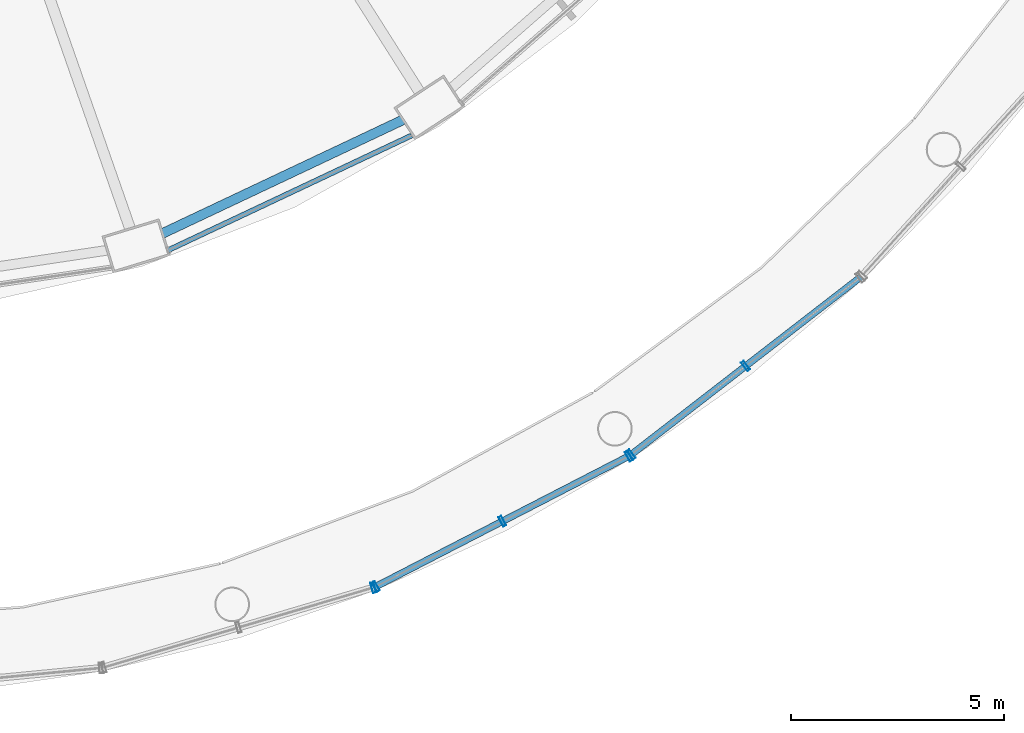
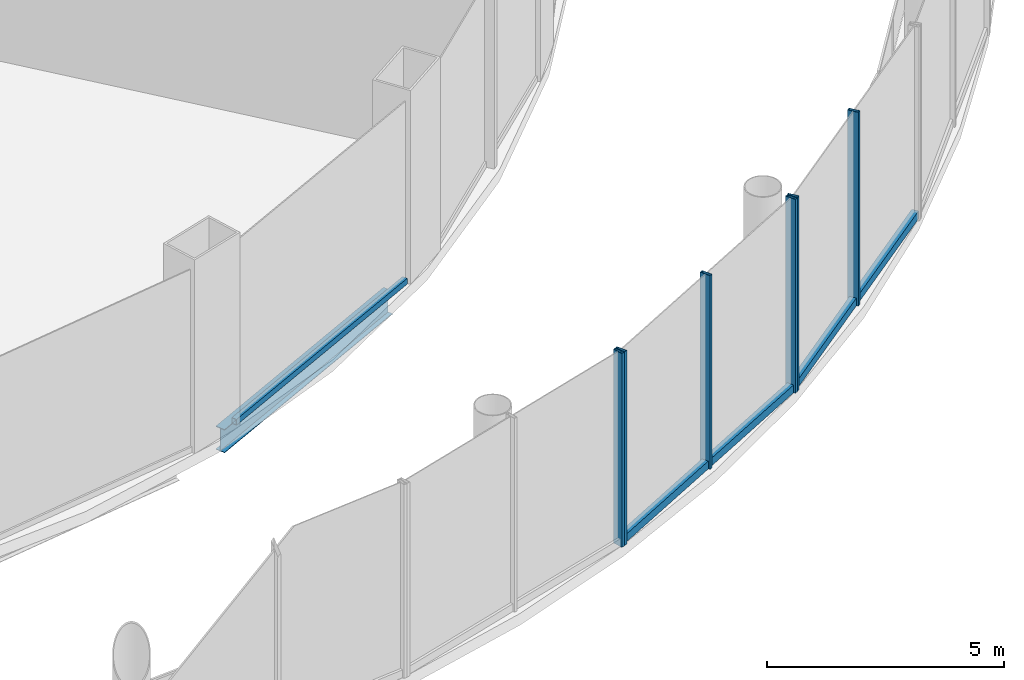
# One storey, part 10 of 48: 9 members, 1 beam, 4 elements without a shape of their own.
"""IFC4 building model written with IfcOpenShell, lengths in metres."""

from ifc_helpers import new_model, si_unit, direction, frame, origin, origin_2d, place, context, subcontext, project, spatial, hollow_rectangle, i_section, extrude, material, layer, layer_set, material_profile, profile_set, type_object, element, aggregate, save


model = new_model("IFC4")

# Units and contexts
model_context = context("Model", 3, precision=1e-05, world=origin(), true_north=direction((0.0, 1.0)))
body_context = subcontext(model_context, "Body", "Model", "MODEL_VIEW")
ifc_project = project(units=[si_unit("LENGTHUNIT", "METRE"), si_unit("AREAUNIT", "SQUARE_METRE"), si_unit("VOLUMEUNIT", "CUBIC_METRE"), si_unit("PLANEANGLEUNIT", "RADIAN"), si_unit("MASSUNIT", "GRAM", prefix="KILO")], contexts=[model_context])

# Site, building, storey
site_placement = place(None, origin())
site = spatial("IfcSite", under=ifc_project, at=site_placement, CompositionType="ELEMENT")
building_placement = place(site_placement, origin())
building = spatial("IfcBuilding", under=site, at=building_placement, Name="Nagisa Residences", CompositionType="ELEMENT")
storey_placement = place(building_placement, frame((0.0, 0.0, 12.0)))
storey = spatial("IfcBuildingStorey", under=building, at=storey_placement, Name="L02", CompositionType="ELEMENT", Elevation=12.0)

# Curtain wall, member
ifc_material_1 = material(Name="Stainless steel curtain wall system", Category="steel")
ifc_layer_1 = layer(ifc_material_1, 0.159912109375)
ifc_layer_set_1 = layer_set([ifc_layer_1], Name="CW3 CURTAIN WALL")
curtain_wall_type_1 = type_object("IfcCurtainWallType", Name="CW3 CURTAIN WALL", PredefinedType="NOTDEFINED", material=ifc_layer_set_1)
curtain_wall_1_placement = place(storey_placement, origin())
curtain_wall_1 = element("IfcCurtainWall", 1, at=curtain_wall_1_placement, inside=storey, type_object=curtain_wall_type_1, Name="cw:CW3:L02:28", PredefinedType="NOTDEFINED")
ifc_material_2 = material(Name="Stainless steel", Category="steel")
ifc_material_profile_1 = material_profile(ifc_material_2, hollow_rectangle(XDim=0.25, YDim=0.080078125, WallThickness=0.008056640625, at=origin_2d()), Name="CW3 MULLION 250x80")
ifc_profile_set_1 = profile_set([ifc_material_profile_1], Name="Stainless steel")
member_type_1 = type_object("IfcMemberType", Name="CW3 MULLION 250x80", PredefinedType="MULLION", material=ifc_profile_set_1)
member_1_placement = place(storey_placement, frame((16.53564453125, -39.40185546875, 0.0), z_axis=(0.0, 0.0, 1.0), x_axis=(-0.283963226669, 0.958835171393, 0.0)))
member_1 = element("IfcMember", 2, at=member_1_placement, type_object=member_type_1, Name="CW3 mullion", PredefinedType="MULLION", context=body_context, shape_type="SweptSolid", body=[
    extrude(hollow_rectangle(XDim=0.25, YDim=0.080078125, WallThickness=0.008056640625, at=origin_2d()), origin(), (0.0, 0.0, 1.0), 5.0),
])
aggregate(curtain_wall_1, [member_1])

# Curtain wall, members
curtain_wall_2_placement = place(storey_placement, origin())
curtain_wall_2 = element("IfcCurtainWall", 3, at=curtain_wall_2_placement, inside=storey, type_object=curtain_wall_type_1, Name="cw:CW3:L02:29", PredefinedType="NOTDEFINED")
member_2_placement = place(storey_placement, frame((16.595703125, -39.377685546875, 0.0), z_axis=(0.0, 0.0, 1.0), x_axis=(-0.45812598783, 0.888887270285, 0.0)))
member_2 = element("IfcMember", 4, at=member_2_placement, type_object=member_type_1, Name="CW3 mullion", PredefinedType="MULLION", context=body_context, shape_type="SweptSolid", body=[
    extrude(hollow_rectangle(XDim=0.25, YDim=0.080078125, WallThickness=0.008056640625, at=origin_2d()), origin(), (0.0, 0.0, 1.0), 5.0),
])
member_3_placement = place(storey_placement, frame((19.561767578125, -37.848876953125, 0.0), z_axis=(0.0, 0.0, 1.0), x_axis=(-0.45812598783, 0.888887270285, 0.0)))
member_3 = element("IfcMember", 5, at=member_3_placement, type_object=member_type_1, Name="CW3 mullion", PredefinedType="MULLION", context=body_context, shape_type="SweptSolid", body=[
    extrude(hollow_rectangle(XDim=0.25, YDim=0.080078125, WallThickness=0.008056640625, at=origin_2d()), origin(), (0.0, 0.0, 1.0), 5.0),
])
member_4_placement = place(storey_placement, frame((22.52783203125, -36.3203125, 0.0), z_axis=(0.0, 0.0, 1.0), x_axis=(-0.45812598783, 0.888887270285, 0.0)))
member_4 = element("IfcMember", 6, at=member_4_placement, type_object=member_type_1, Name="CW3 mullion", PredefinedType="MULLION", context=body_context, shape_type="SweptSolid", body=[
    extrude(hollow_rectangle(XDim=0.25, YDim=0.080078125, WallThickness=0.008056640625, at=origin_2d()), origin(), (0.0, 0.0, 1.0), 5.0),
])

curtain_wall_3_placement = place(storey_placement, origin())
curtain_wall_3 = element("IfcCurtainWall", 7, at=curtain_wall_3_placement, inside=storey, type_object=curtain_wall_type_1, Name="cw:CW3:L02:30", PredefinedType="NOTDEFINED")
member_5_placement = place(storey_placement, frame((22.582763671875, -36.285400390625, 0.0), z_axis=(0.0, 0.0, 1.0), x_axis=(-0.612034757172, 0.790830864353, 0.0)))
member_5 = element("IfcMember", 8, at=member_5_placement, type_object=member_type_1, Name="CW3 mullion", PredefinedType="MULLION", context=body_context, shape_type="SweptSolid", body=[
    extrude(hollow_rectangle(XDim=0.25, YDim=0.080078125, WallThickness=0.008056640625, at=origin_2d()), origin(), (0.0, 0.0, 1.0), 5.0),
])
member_6_placement = place(storey_placement, frame((25.263916015625, -34.210205078125, 0.0), z_axis=(0.0, 0.0, 1.0), x_axis=(-0.612034757172, 0.790830864353, 0.0)))
member_6 = element("IfcMember", 9, at=member_6_placement, type_object=member_type_1, Name="CW3 mullion", PredefinedType="MULLION", context=body_context, shape_type="SweptSolid", body=[
    extrude(hollow_rectangle(XDim=0.25, YDim=0.080078125, WallThickness=0.008056640625, at=origin_2d()), origin(), (0.0, 0.0, 1.0), 5.0),
])

# Member
ifc_material_3 = material(Name="Stainless steel", Category="steel")
ifc_material_profile_2 = material_profile(ifc_material_3, hollow_rectangle(XDim=0.159912109375, YDim=0.199951171875, WallThickness=0.008056640625, at=origin_2d()), Name="CW3 TRANSOM 160x200")
ifc_profile_set_2 = profile_set([ifc_material_profile_2], Name="Stainless steel")
member_type_2 = type_object("IfcMemberType", Name="CW3 TRANSOM 160x200", PredefinedType="USERDEFINED", material=ifc_profile_set_2)
member_7_placement = place(storey_placement, frame((16.56005859375, -39.39599609375, 0.10009765625), z_axis=(0.888887130152, 0.458126259726, 0.0), x_axis=(-0.458126259726, 0.888887130152, 0.0)))
member_7 = element("IfcMember", 10, at=member_7_placement, type_object=member_type_2, Name="CW3 transom", ObjectType="TRANSOM", PredefinedType="USERDEFINED", context=body_context, shape_type="SweptSolid", body=[
    extrude(hollow_rectangle(XDim=0.159912109375, YDim=0.199951171875, WallThickness=0.008056640625, at=origin_2d()), origin(), (0.0, 0.0, 1.0), 6.753662109375),
])

aggregate(curtain_wall_2, [member_2, member_3, member_4, member_7])

member_8_placement = place(storey_placement, frame((22.551025390625, -36.309814453125, 0.10009765625), z_axis=(0.790834819486, 0.612029646576, 0.0), x_axis=(-0.612029646576, 0.790834819486, 0.0)))
member_8 = element("IfcMember", 11, at=member_8_placement, type_object=member_type_2, Name="CW3 transom", ObjectType="TRANSOM", PredefinedType="USERDEFINED", context=body_context, shape_type="SweptSolid", body=[
    extrude(hollow_rectangle(XDim=0.159912109375, YDim=0.199951171875, WallThickness=0.008056640625, at=origin_2d()), origin(), (0.0, 0.0, 1.0), 6.861083984375),
])

aggregate(curtain_wall_3, [member_5, member_6, member_8])

# Curtain wall, member
ifc_material_4 = material(Name="Stainless steel curtain wall system", Category="steel")
ifc_layer_2 = layer(ifc_material_4, 0.159912109375)
ifc_layer_set_2 = layer_set([ifc_layer_2], Name="CW6 CURTAIN WALL")
curtain_wall_type_2 = type_object("IfcCurtainWallType", Name="CW6 CURTAIN WALL", PredefinedType="NOTDEFINED", material=ifc_layer_set_2)
curtain_wall_4_placement = place(storey_placement, origin())
curtain_wall_4 = element("IfcCurtainWall", 12, at=curtain_wall_4_placement, inside=storey, type_object=curtain_wall_type_2, Name="cw:CW6:L02:38", PredefinedType="NOTDEFINED")
ifc_material_5 = material(Name="Stainless steel", Category="steel")
ifc_material_profile_3 = material_profile(ifc_material_5, hollow_rectangle(XDim=0.1201171875, YDim=0.14990234375, WallThickness=0.008056640625, at=origin_2d()), Name="CW6 TRANSOM 120x150")
ifc_profile_set_3 = profile_set([ifc_material_profile_3], Name="Stainless steel")
member_type_3 = type_object("IfcMemberType", Name="CW6 TRANSOM 120x150", PredefinedType="USERDEFINED", material=ifc_profile_set_3)
member_9_placement = place(storey_placement, frame((11.704833984375, -31.504638671875, 0.074951171875), z_axis=(0.904558144684, 0.426350281911, 0.0), x_axis=(-0.426350281911, 0.904558144684, 0.0)))
member_9 = element("IfcMember", 13, at=member_9_placement, type_object=member_type_3, Name="CW6 transom", ObjectType="TRANSOM", PredefinedType="USERDEFINED", context=body_context, shape_type="SweptSolid", body=[
    extrude(hollow_rectangle(XDim=0.1201171875, YDim=0.14990234375, WallThickness=0.008056640625, at=origin_2d()), origin(), (0.0, 0.0, 1.0), 6.33203125),
])
aggregate(curtain_wall_4, [member_9])

# Beam
ifc_material_6 = material(Name="Steel ASTM A572 Gr 50", Category="steel")
ifc_material_profile_4 = material_profile(ifc_material_6, i_section(OverallWidth=0.22802734375, OverallDepth=0.60302734375, WebThickness=0.010498046875, FlangeThickness=0.014892578125, at=origin_2d()), Name="W610x101")
ifc_profile_set_4 = profile_set([ifc_material_profile_4], Name="Steel ASTM A572 Gr 50")
beam_type = type_object("IfcBeamType", Name="Perimeter ring beam W610x101", PredefinedType="BEAM", material=ifc_profile_set_4)
beam_placement = place(storey_placement, frame((11.597900390625, -31.098876953125, -0.6015625), z_axis=(0.904215426643, 0.427076646774, 0.0), x_axis=(-0.427076646774, 0.904215426643, 0.0)))
element("IfcBeam", 14, at=beam_placement, inside=storey, type_object=beam_type, Name="beam:L02:pb20", PredefinedType="BEAM", context=body_context, shape_type="SweptSolid", body=[
    extrude(i_section(OverallWidth=0.22802734375, OverallDepth=0.60302734375, WebThickness=0.010498046875, FlangeThickness=0.014892578125, at=origin_2d()), origin(), (0.0, 0.0, 1.0), 6.2275390625),
])

save(model, "model.ifc")
